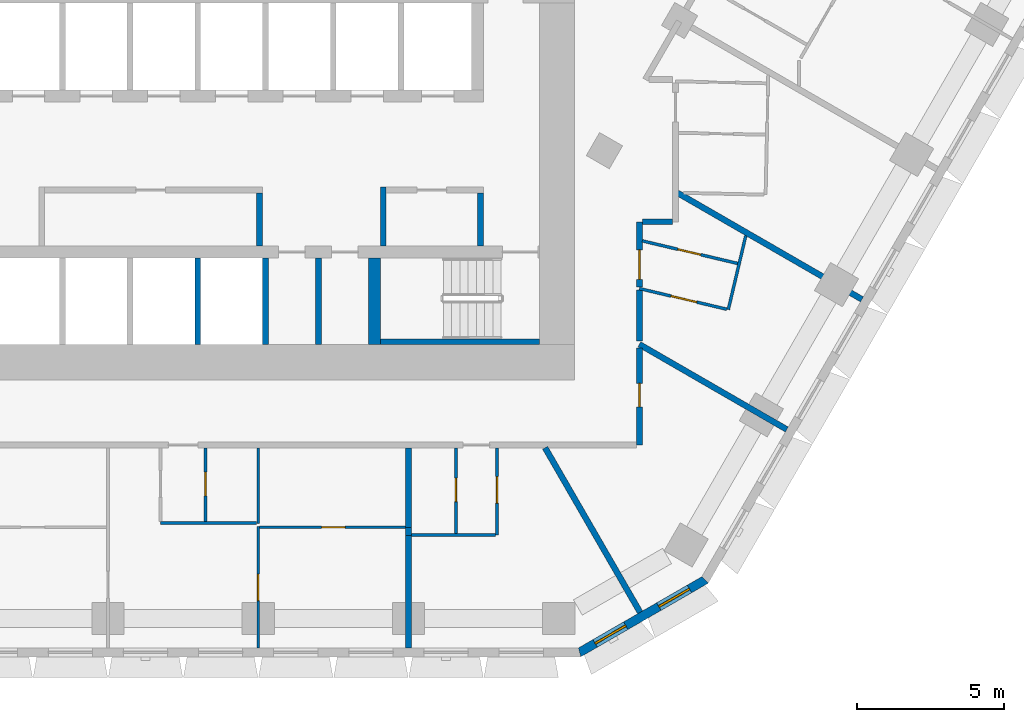
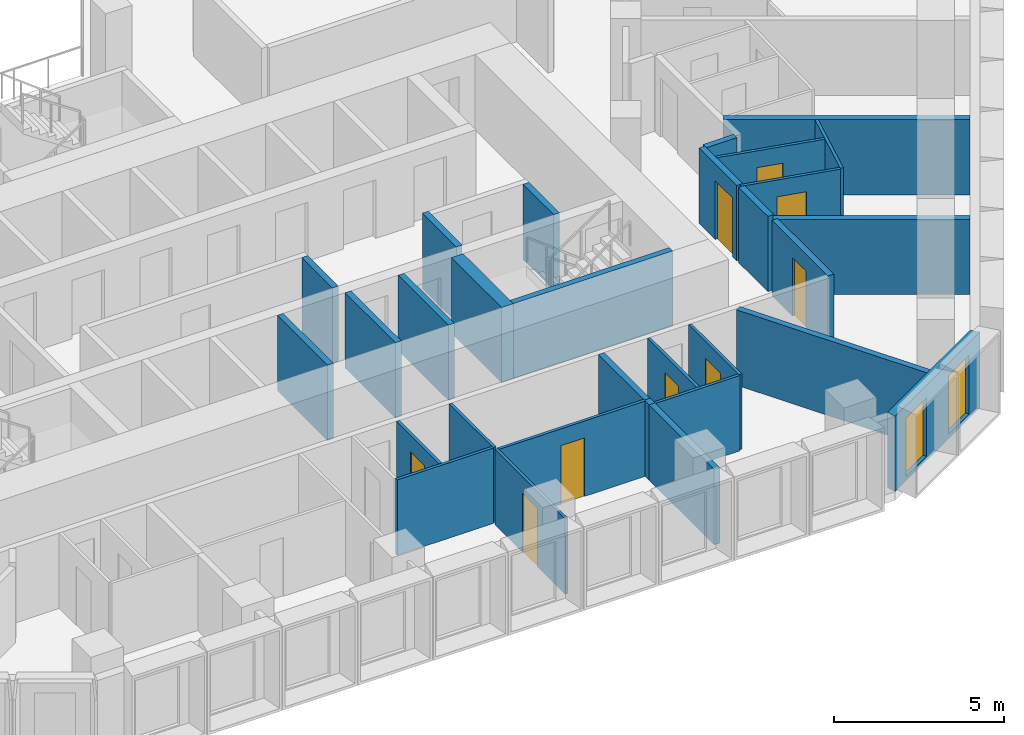
# One storey, part 6 of 21: 30 walls, 9 doors, 2 windows, 11 openings.
"""IFC4 building model written with IfcOpenShell, lengths in metres."""

from ifc_helpers import new_model, si_unit, direction, frame, frame_2d, origin, place, context, subcontext, project, spatial, polyline, rectangle, outline, extrude, material, layer, layer_set, type_object, element, fill, save


model = new_model("IFC4")

# Units and contexts
model_context = context("Model", 3, precision=1e-05, world=origin(), true_north=direction((0.0, 1.0)))
body_context = subcontext(model_context, "Body", "Model", "MODEL_VIEW")
ifc_project = project(units=[si_unit("LENGTHUNIT", "METRE"), si_unit("AREAUNIT", "SQUARE_METRE"), si_unit("VOLUMEUNIT", "CUBIC_METRE"), si_unit("PLANEANGLEUNIT", "RADIAN"), si_unit("MASSUNIT", "GRAM", prefix="KILO")], contexts=[model_context])

# Site, building, storey
site_placement = place(None, origin())
site = spatial("IfcSite", under=ifc_project, at=site_placement, CompositionType="ELEMENT")
building_placement = place(site_placement, origin())
building = spatial("IfcBuilding", under=site, at=building_placement, Name="Beryl Residences", CompositionType="ELEMENT")
storey_placement = place(building_placement, frame((0.0, 0.0, 47.39990234375)))
storey = spatial("IfcBuildingStorey", under=building, at=storey_placement, Name="L14", CompositionType="ELEMENT", Elevation=47.39990234375)

# Wall, openings, windows
ifc_material_1 = material(Name="Composite metal panel with mineral wool insulation")
ifc_layer_1 = layer(ifc_material_1, 0.300048828125)
ifc_layer_set_1 = layer_set([ifc_layer_1], Name="ES1 pale metal composite panel wall 300 mm")
wall_type_1 = type_object("IfcWallType", Name="ES1 pale metal composite panel wall 300 mm", PredefinedType="SOLIDWALL", material=ifc_layer_set_1)
wall_1_placement = place(storey_placement, frame((13.43505859375, -28.27001953125, 0.0), z_axis=(0.0, 0.0, 1.0), x_axis=(0.866010750942, 0.50002537861, 0.0)))
wall_1 = element("IfcWall", 1, at=wall_1_placement, inside=storey, type_object=wall_type_1, Name="ES1 external wall L14 S-SE", PredefinedType="SOLIDWALL", context=body_context, shape_type="SweptSolid", body=[
    extrude(outline(polyline([(0.0, -0.14990234375), (4.999755859375, -0.14990234375), (4.91943359375, 0.14990234375), (0.080322265625, 0.14990234375), (0.0, -0.14990234375)])), origin(), (0.0, 0.0, 1.0), 2.7001953125),
])
opening_1_placement = place(wall_1_placement, frame((0.64990234375, 0.0, 0.14990234375)))
opening_1 = element("IfcOpeningElement", 2, at=opening_1_placement, cuts=wall_1, Name="Opening W2", PredefinedType="OPENING", context=body_context, shape_type="SweptSolid", body=[
    extrude(rectangle(XDim=1.199951171875, YDim=2.10009765625, at=frame_2d((0.60009765625, 1.050048828125))), frame((0.0, 0.159912109375, 0.0), z_axis=(0.0, -1.0, 0.0), x_axis=(1.0, 0.0, 0.0)), (0.0, 0.0, 1.0), 0.320068359375),
])
opening_2_placement = place(wall_1_placement, frame((3.14892578125, 0.0, 0.14990234375)))
opening_2 = element("IfcOpeningElement", 3, at=opening_2_placement, cuts=wall_1, Name="Opening W2", PredefinedType="OPENING", context=body_context, shape_type="SweptSolid", body=[
    extrude(rectangle(XDim=1.199951171875, YDim=2.10009765625, at=frame_2d((0.60009765625, 1.050048828125))), frame((0.0, 0.159912109375, 0.0), z_axis=(0.0, -1.0, 0.0), x_axis=(1.0, 0.0, 0.0)), (0.0, 0.0, 1.0), 0.320068359375),
])
ifc_material_2 = material(Name="Aluminium and clear glass", Category="aluminium")
window_type = type_object("IfcWindowType", Name="W2 chamfer window 1200 x 2100 mm", PartitioningType="SINGLE_PANEL", PredefinedType="WINDOW", material=ifc_material_2)
window_1_placement = place(opening_1_placement, origin())
window_1 = element("IfcWindow", 4, at=window_1_placement, inside=storey, type_object=window_type, Name="W2 window L14 S-SE 1", OverallHeight=2.10009765625, OverallWidth=1.199951171875, PartitioningType="SINGLE_PANEL", PredefinedType="WINDOW", context=body_context, shape_type="SweptSolid", body=[
    extrude(rectangle(XDim=1.199951171875, YDim=2.10009765625, at=frame_2d((0.60009765625, 1.050048828125))), frame((0.0, 0.030029296875, 0.0), z_axis=(0.0, -1.0, 0.0), x_axis=(1.0, 0.0, 0.0)), (0.0, 0.0, 1.0), 0.06005859375),
])
fill(opening_1, window_1)
window_2_placement = place(opening_2_placement, origin())
window_2 = element("IfcWindow", 5, at=window_2_placement, inside=storey, type_object=window_type, Name="W2 window L14 S-SE 2", OverallHeight=2.10009765625, OverallWidth=1.199951171875, PartitioningType="SINGLE_PANEL", PredefinedType="WINDOW", context=body_context, shape_type="SweptSolid", body=[
    extrude(rectangle(XDim=1.199951171875, YDim=2.10009765625, at=frame_2d((0.60009765625, 1.050048828125))), frame((0.0, 0.030029296875, 0.0), z_axis=(0.0, -1.0, 0.0), x_axis=(1.0, 0.0, 0.0)), (0.0, 0.0, 1.0), 0.06005859375),
])
fill(opening_2, window_2)

# Wall, opening, door
ifc_material_3 = material(Name="Gypsum board partition on steel studs", Category="steel")
ifc_layer_2 = layer(ifc_material_3, 0.10009765625)
ifc_layer_set_2 = layer_set([ifc_layer_2], Name="PT1 partition 100 mm gypsum board on steel studs")
wall_type_2 = type_object("IfcWallType", Name="PT1 partition 100 mm gypsum board on steel studs", PredefinedType="PARTITIONING", material=ifc_layer_set_2)
wall_2_placement = place(storey_placement, frame((15.60009765625, -14.27294921875, 0.0), z_axis=(0.0, 0.0, 1.0), x_axis=(0.973083317443, -0.230453590368, 0.0)))
wall_2 = element("IfcWall", 6, at=wall_2_placement, inside=storey, type_object=wall_type_2, Name="Wall PT1 L14 015", PredefinedType="PARTITIONING", context=body_context, shape_type="SweptSolid", body=[
    extrude(rectangle(XDim=3.32861328125, YDim=0.10009765625, at=frame_2d((1.664306640625, 0.0))), origin(), (0.0, 0.0, 1.0), 2.7001953125),
])
opening_3_placement = place(wall_2_placement, frame((1.238037109375, 0.0, 0.0)))
opening_3 = element("IfcOpeningElement", 7, at=opening_3_placement, cuts=wall_2, Name="Opening D0239", PredefinedType="OPENING", context=body_context, shape_type="SweptSolid", body=[
    extrude(rectangle(XDim=0.800048828125, YDim=2.10009765625, at=frame_2d((0.39990234375, 1.050048828125))), frame((0.0, 0.06005859375, 0.0), z_axis=(0.0, -1.0, 0.0), x_axis=(1.0, 0.0, 0.0)), (0.0, 0.0, 1.0), 0.1201171875),
])
ifc_material_4 = material(Name="Timber door leaf", Category="wood")
door_type_1 = type_object("IfcDoorType", Name="D3 bathroom door 800 x 2100 mm", OperationType="SINGLE_SWING_LEFT", PredefinedType="DOOR", material=ifc_material_4)
door_1_placement = place(opening_3_placement, origin())
door_1 = element("IfcDoor", 8, at=door_1_placement, inside=storey, type_object=door_type_1, Name="Door D0239 L14 001", OperationType="SINGLE_SWING_LEFT", OverallHeight=2.10009765625, OverallWidth=0.800048828125, PredefinedType="DOOR", context=body_context, shape_type="SweptSolid", body=[
    extrude(rectangle(XDim=0.800048828125, YDim=2.10009765625, at=frame_2d((0.39990234375, 1.050048828125))), frame((0.0, 0.02490234375, 0.0), z_axis=(0.0, -1.0, 0.0), x_axis=(1.0, 0.0, 0.0)), (0.0, 0.0, 1.0), 0.050048828125),
])
fill(opening_3, door_1)

wall_3_placement = place(storey_placement, frame((15.5, -15.89208984375, 0.0), z_axis=(0.0, 0.0, 1.0), x_axis=(0.973119457068, -0.230300938504, 0.0)))
wall_3 = element("IfcWall", 9, at=wall_3_placement, inside=storey, type_object=wall_type_2, Name="Wall PT1 L14 016", PredefinedType="PARTITIONING", context=body_context, shape_type="SweptSolid", body=[
    extrude(rectangle(XDim=3.052001953125, YDim=0.10009765625, at=frame_2d((1.52587890625, 0.0))), origin(), (0.0, 0.0, 1.0), 2.7001953125),
])
opening_4_placement = place(wall_3_placement, frame((1.10205078125, 0.0, 0.0)))
opening_4 = element("IfcOpeningElement", 10, at=opening_4_placement, cuts=wall_3, Name="Opening D0238", PredefinedType="OPENING", context=body_context, shape_type="SweptSolid", body=[
    extrude(rectangle(XDim=0.89990234375, YDim=2.10009765625, at=frame_2d((0.449951171875, 1.050048828125))), frame((0.0, 0.06005859375, 0.0), z_axis=(0.0, -1.0, 0.0), x_axis=(1.0, 0.0, 0.0)), (0.0, 0.0, 1.0), 0.1201171875),
])
ifc_material_5 = material(Name="Timber door leaf", Category="wood")
door_type_2 = type_object("IfcDoorType", Name="D2 room door 900 x 2100 mm", OperationType="SINGLE_SWING_LEFT", PredefinedType="DOOR", material=ifc_material_5)
door_2_placement = place(opening_4_placement, origin())
door_2 = element("IfcDoor", 11, at=door_2_placement, inside=storey, type_object=door_type_2, Name="Door D0238 L14 001", OperationType="SINGLE_SWING_RIGHT", OverallHeight=2.10009765625, OverallWidth=0.89990234375, PredefinedType="DOOR", context=body_context, shape_type="SweptSolid", body=[
    extrude(rectangle(XDim=0.89990234375, YDim=2.10009765625, at=frame_2d((0.449951171875, 1.050048828125))), frame((0.0, 0.02490234375, 0.0), z_axis=(0.0, -1.0, 0.0), x_axis=(1.0, 0.0, 0.0)), (0.0, 0.0, 1.0), 0.050048828125),
])
fill(opening_4, door_2)

# Wall
wall_4_placement = place(storey_placement, frame((-0.763916015625, -23.860107421875, 0.0), z_axis=(0.0, 0.0, 1.0), x_axis=(1.0, 0.0, 0.0)))
element("IfcWall", 12, at=wall_4_placement, inside=storey, type_object=wall_type_2, Name="Wall PT1 L14 030", PredefinedType="PARTITIONING", context=body_context, shape_type="SweptSolid", body=[
    extrude(rectangle(XDim=3.266845703125, YDim=0.10009765625, at=frame_2d((1.63330078125, 0.0))), origin(), (0.0, 0.0, 1.0), 2.7001953125),
])

# Wall, opening, door
wall_5_placement = place(storey_placement, frame((2.60302734375, -24.0, 0.0), z_axis=(0.0, 0.0, 1.0), x_axis=(1.0, 0.0, 0.0)))
wall_5 = element("IfcWall", 13, at=wall_5_placement, inside=storey, type_object=wall_type_2, Name="Wall PT1 L14 032", PredefinedType="PARTITIONING", context=body_context, shape_type="SweptSolid", body=[
    extrude(rectangle(XDim=4.953857421875, YDim=0.10009765625, at=frame_2d((2.47705078125, 0.0))), origin(), (0.0, 0.0, 1.0), 2.7001953125),
])
opening_5_placement = place(wall_5_placement, frame((2.10205078125, 0.0, 0.0)))
opening_5 = element("IfcOpeningElement", 14, at=opening_5_placement, cuts=wall_5, Name="Opening D0232", PredefinedType="OPENING", context=body_context, shape_type="SweptSolid", body=[
    extrude(rectangle(XDim=0.800048828125, YDim=2.10009765625, at=frame_2d((0.39990234375, 1.050048828125))), frame((0.0, 0.06005859375, 0.0), z_axis=(0.0, -1.0, 0.0), x_axis=(1.0, 0.0, 0.0)), (0.0, 0.0, 1.0), 0.1201171875),
])
door_3_placement = place(opening_5_placement, origin())
door_3 = element("IfcDoor", 15, at=door_3_placement, inside=storey, type_object=door_type_1, Name="Door D0232 L14 001", OperationType="SINGLE_SWING_RIGHT", OverallHeight=2.10009765625, OverallWidth=0.800048828125, PredefinedType="DOOR", context=body_context, shape_type="SweptSolid", body=[
    extrude(rectangle(XDim=0.800048828125, YDim=2.10009765625, at=frame_2d((0.39990234375, 1.050048828125))), frame((0.0, 0.02490234375, 0.0), z_axis=(0.0, -1.0, 0.0), x_axis=(1.0, 0.0, 0.0)), (0.0, 0.0, 1.0), 0.050048828125),
])
fill(opening_5, door_3)

# Walls
wall_6_placement = place(storey_placement, frame((7.757080078125, -24.260009765625, 0.0), z_axis=(0.0, 0.0, 1.0), x_axis=(1.0, 0.0, 0.0)))
element("IfcWall", 16, at=wall_6_placement, inside=storey, type_object=wall_type_2, Name="Wall PT1 L14 034", PredefinedType="PARTITIONING", context=body_context, shape_type="SweptSolid", body=[
    extrude(rectangle(XDim=2.85791015625, YDim=0.10009765625, at=frame_2d((1.428955078125, 0.0))), origin(), (0.0, 0.0, 1.0), 2.7001953125),
])
wall_7_placement = place(storey_placement, frame((18.52001953125, -16.60595703125, 0.0), z_axis=(0.0, 0.0, 1.0), x_axis=(0.230289488548, 0.973122166773, 0.0)))
element("IfcWall", 17, at=wall_7_placement, inside=storey, type_object=wall_type_2, Name="Wall PT1 L14 044", PredefinedType="PARTITIONING", context=body_context, shape_type="SweptSolid", body=[
    extrude(rectangle(XDim=2.579345703125, YDim=0.10009765625, at=frame_2d((1.28955078125, 0.0))), origin(), (0.0, 0.0, 1.0), 2.7001953125),
])

# Wall, opening, door
wall_8_placement = place(storey_placement, frame((0.76708984375, -23.81005859375, 0.0), z_axis=(0.0, 0.0, 1.0), x_axis=(0.0, 1.0, 0.0)))
wall_8 = element("IfcWall", 18, at=wall_8_placement, inside=storey, type_object=wall_type_2, Name="Wall PT1 L14 048", PredefinedType="PARTITIONING", context=body_context, shape_type="SweptSolid", body=[
    extrude(rectangle(XDim=2.510009765625, YDim=0.10009765625, at=frame_2d((1.2548828125, 0.0))), origin(), (0.0, 0.0, 1.0), 2.7001953125),
])
opening_6_placement = place(wall_8_placement, frame((0.8798828125, 0.0, 0.0)))
opening_6 = element("IfcOpeningElement", 19, at=opening_6_placement, cuts=wall_8, Name="Opening D0228", PredefinedType="OPENING", context=body_context, shape_type="SweptSolid", body=[
    extrude(rectangle(XDim=0.800048828125, YDim=2.10009765625, at=frame_2d((0.39990234375, 1.050048828125))), frame((0.0, 0.06005859375, 0.0), z_axis=(0.0, -1.0, 0.0), x_axis=(1.0, 0.0, 0.0)), (0.0, 0.0, 1.0), 0.1201171875),
])
door_4_placement = place(opening_6_placement, origin())
door_4 = element("IfcDoor", 20, at=door_4_placement, inside=storey, type_object=door_type_1, Name="Door D0228 L14 001", OperationType="SINGLE_SWING_RIGHT", OverallHeight=2.10009765625, OverallWidth=0.800048828125, PredefinedType="DOOR", context=body_context, shape_type="SweptSolid", body=[
    extrude(rectangle(XDim=0.800048828125, YDim=2.10009765625, at=frame_2d((0.39990234375, 1.050048828125))), frame((0.0, 0.02490234375, 0.0), z_axis=(0.0, -1.0, 0.0), x_axis=(1.0, 0.0, 0.0)), (0.0, 0.0, 1.0), 0.050048828125),
])
fill(opening_6, door_4)

wall_9_placement = place(storey_placement, frame((9.26611328125, -24.2099609375, 0.0), z_axis=(0.0, 0.0, 1.0), x_axis=(0.0, 1.0, 0.0)))
wall_9 = element("IfcWall", 21, at=wall_9_placement, inside=storey, type_object=wall_type_2, Name="Wall PT1 L14 049", PredefinedType="PARTITIONING", context=body_context, shape_type="SweptSolid", body=[
    extrude(rectangle(XDim=2.909912109375, YDim=0.10009765625, at=frame_2d((1.455078125, 0.0))), origin(), (0.0, 0.0, 1.0), 2.7001953125),
])
opening_7_placement = place(wall_9_placement, frame((1.080078125, 0.0, 0.0)))
opening_7 = element("IfcOpeningElement", 22, at=opening_7_placement, cuts=wall_9, Name="Opening D0235", PredefinedType="OPENING", context=body_context, shape_type="SweptSolid", body=[
    extrude(rectangle(XDim=0.800048828125, YDim=2.10009765625, at=frame_2d((0.39990234375, 1.050048828125))), frame((0.0, 0.06005859375, 0.0), z_axis=(0.0, -1.0, 0.0), x_axis=(1.0, 0.0, 0.0)), (0.0, 0.0, 1.0), 0.1201171875),
])
door_5_placement = place(opening_7_placement, origin())
door_5 = element("IfcDoor", 23, at=door_5_placement, inside=storey, type_object=door_type_1, Name="Door D0235 L14 001", OperationType="SINGLE_SWING_LEFT", OverallHeight=2.10009765625, OverallWidth=0.800048828125, PredefinedType="DOOR", context=body_context, shape_type="SweptSolid", body=[
    extrude(rectangle(XDim=0.800048828125, YDim=2.10009765625, at=frame_2d((0.39990234375, 1.050048828125))), frame((0.0, 0.02490234375, 0.0), z_axis=(0.0, -1.0, 0.0), x_axis=(1.0, 0.0, 0.0)), (0.0, 0.0, 1.0), 0.050048828125),
])
fill(opening_7, door_5)

wall_10_placement = place(storey_placement, frame((10.666015625, -24.259033203125, 0.0), z_axis=(0.0, 0.0, 1.0), x_axis=(0.0, 1.0, 0.0)))
wall_10 = element("IfcWall", 24, at=wall_10_placement, inside=storey, type_object=wall_type_2, Name="Wall PT1 L14 050", PredefinedType="PARTITIONING", context=body_context, shape_type="SweptSolid", body=[
    extrude(rectangle(XDim=2.958984375, YDim=0.10009765625, at=frame_2d((1.4794921875, 0.0))), origin(), (0.0, 0.0, 1.0), 2.7001953125),
])
opening_8_placement = place(wall_10_placement, frame((1.0791015625, 0.0, 0.0)))
opening_8 = element("IfcOpeningElement", 25, at=opening_8_placement, cuts=wall_10, Name="Opening D0234", PredefinedType="OPENING", context=body_context, shape_type="SweptSolid", body=[
    extrude(rectangle(XDim=0.89990234375, YDim=2.10009765625, at=frame_2d((0.449951171875, 1.050048828125))), frame((0.0, 0.06005859375, 0.0), z_axis=(0.0, -1.0, 0.0), x_axis=(1.0, 0.0, 0.0)), (0.0, 0.0, 1.0), 0.1201171875),
])
door_6_placement = place(opening_8_placement, origin())
door_6 = element("IfcDoor", 26, at=door_6_placement, inside=storey, type_object=door_type_2, Name="Door D0234 L14 001", OperationType="SINGLE_SWING_RIGHT", OverallHeight=2.10009765625, OverallWidth=0.89990234375, PredefinedType="DOOR", context=body_context, shape_type="SweptSolid", body=[
    extrude(rectangle(XDim=0.89990234375, YDim=2.10009765625, at=frame_2d((0.449951171875, 1.050048828125))), frame((0.0, 0.02490234375, 0.0), z_axis=(0.0, -1.0, 0.0), x_axis=(1.0, 0.0, 0.0)), (0.0, 0.0, 1.0), 0.050048828125),
])
fill(opening_8, door_6)

wall_11_placement = place(storey_placement, frame((2.552978515625, -28.10009765625, 0.0), z_axis=(0.0, 0.0, 1.0), x_axis=(0.0, 1.0, 0.0)))
wall_11 = element("IfcWall", 27, at=wall_11_placement, inside=storey, type_object=wall_type_2, Name="Wall PT1 L14 052", PredefinedType="PARTITIONING", context=body_context, shape_type="SweptSolid", body=[
    extrude(rectangle(XDim=4.1201171875, YDim=0.10009765625, at=frame_2d((2.06005859375, 0.0))), origin(), (0.0, 0.0, 1.0), 2.7001953125),
])
opening_9_placement = place(wall_11_placement, frame((1.610107421875, 0.0, 0.0)))
opening_9 = element("IfcOpeningElement", 28, at=opening_9_placement, cuts=wall_11, Name="Opening D0229", PredefinedType="OPENING", context=body_context, shape_type="SweptSolid", body=[
    extrude(rectangle(XDim=0.89990234375, YDim=2.10009765625, at=frame_2d((0.449951171875, 1.050048828125))), frame((0.0, 0.06005859375, 0.0), z_axis=(0.0, -1.0, 0.0), x_axis=(1.0, 0.0, 0.0)), (0.0, 0.0, 1.0), 0.1201171875),
])
door_7_placement = place(opening_9_placement, origin())
door_7 = element("IfcDoor", 29, at=door_7_placement, inside=storey, type_object=door_type_2, Name="Door D0229 L14 001", OperationType="SINGLE_SWING_LEFT", OverallHeight=2.10009765625, OverallWidth=0.89990234375, PredefinedType="DOOR", context=body_context, shape_type="SweptSolid", body=[
    extrude(rectangle(XDim=0.89990234375, YDim=2.10009765625, at=frame_2d((0.449951171875, 1.050048828125))), frame((0.0, 0.02490234375, 0.0), z_axis=(0.0, -1.0, 0.0), x_axis=(1.0, 0.0, 0.0)), (0.0, 0.0, 1.0), 0.050048828125),
])
fill(opening_9, door_7)

# Walls
wall_12_placement = place(storey_placement, frame((2.552978515625, -23.8798828125, 0.0), z_axis=(0.0, 0.0, 1.0), x_axis=(0.0, 1.0, 0.0)))
element("IfcWall", 30, at=wall_12_placement, inside=storey, type_object=wall_type_2, Name="Wall PT1 L14 053", PredefinedType="PARTITIONING", context=body_context, shape_type="SweptSolid", body=[
    extrude(rectangle(XDim=2.579833984375, YDim=0.10009765625, at=frame_2d((1.2900390625, 0.0))), origin(), (0.0, 0.0, 1.0), 2.7001953125),
])
ifc_material_6 = material(Name="Concrete masonry", Category="masonry")
ifc_layer_3 = layer(ifc_material_6, 0.199951171875)
ifc_layer_set_3 = layer_set([ifc_layer_3], Name="PT13 lobby wall 200 mm")
wall_type_3 = type_object("IfcWallType", Name="PT13 lobby wall 200 mm", PredefinedType="PARTITIONING", material=ifc_layer_set_3)
wall_13_placement = place(storey_placement, frame((2.60009765625, -14.449951171875, 0.0), z_axis=(0.0, 0.0, 1.0), x_axis=(0.0, 1.0, 0.0)))
element("IfcWall", 31, at=wall_13_placement, inside=storey, type_object=wall_type_3, Name="Lobby wall 15", PredefinedType="PARTITIONING", context=body_context, shape_type="SweptSolid", body=[
    extrude(rectangle(XDim=1.800048828125, YDim=0.199951171875, at=frame_2d((0.89990234375, 0.0))), origin(), (0.0, 0.0, 1.0), 2.7001953125),
])
wall_14_placement = place(storey_placement, frame((6.800048828125, -14.449951171875, 0.0), z_axis=(0.0, 0.0, 1.0), x_axis=(0.0, 1.0, 0.0)))
element("IfcWall", 32, at=wall_14_placement, inside=storey, type_object=wall_type_3, Name="Lobby wall 21", PredefinedType="PARTITIONING", context=body_context, shape_type="SweptSolid", body=[
    extrude(rectangle(XDim=2.0, YDim=0.199951171875, at=frame_2d((1.0, 0.0))), origin(), (0.0, 0.0, 1.0), 2.7001953125),
])
wall_15_placement = place(storey_placement, frame((10.10009765625, -14.449951171875, 0.0), z_axis=(0.0, 0.0, 1.0), x_axis=(0.0, 1.0, 0.0)))
element("IfcWall", 33, at=wall_15_placement, inside=storey, type_object=wall_type_3, Name="Lobby wall 24", PredefinedType="PARTITIONING", context=body_context, shape_type="SweptSolid", body=[
    extrude(rectangle(XDim=1.800048828125, YDim=0.199951171875, at=frame_2d((0.89990234375, 0.0))), origin(), (0.0, 0.0, 1.0), 2.7001953125),
])
ifc_material_7 = material(Name="Acoustic double stud gypsum board wall")
ifc_layer_4 = layer(ifc_material_7, 0.199951171875)
ifc_layer_set_4 = layer_set([ifc_layer_4], Name="PT3 party wall 200 mm acoustic double stud")
wall_type_4 = type_object("IfcWallType", Name="PT3 party wall 200 mm acoustic double stud", PredefinedType="PARTITIONING", material=ifc_layer_set_4)
wall_16_placement = place(storey_placement, frame((12.297119140625, -21.300048828125, 0.0), z_axis=(0.0, 0.0, 1.0), x_axis=(0.500056399578, -0.865992839024, 0.0)))
element("IfcWall", 34, at=wall_16_placement, inside=storey, type_object=wall_type_4, Name="Wall PT3 L14 002", PredefinedType="PARTITIONING", context=body_context, shape_type="SweptSolid", body=[
    extrude(rectangle(XDim=6.454833984375, YDim=0.199951171875, at=frame_2d((3.2275390625, 0.0))), origin(), (0.0, 0.0, 1.0), 2.7001953125),
])
wall_17_placement = place(storey_placement, frame((7.656982421875, -24.0, 0.0), z_axis=(0.0, 0.0, 1.0), x_axis=(0.0, -1.0, 0.0)))
element("IfcWall", 35, at=wall_17_placement, inside=storey, type_object=wall_type_4, Name="Wall PT3 L14 006", PredefinedType="PARTITIONING", context=body_context, shape_type="SweptSolid", body=[
    extrude(rectangle(XDim=0.280029296875, YDim=0.199951171875, at=frame_2d((0.14013671875, 0.0))), origin(), (0.0, 0.0, 1.0), 2.7001953125),
])
wall_18_placement = place(storey_placement, frame((15.5, -17.7880859375, 0.0), z_axis=(0.0, 0.0, 1.0), x_axis=(0.866065366639, -0.499930775916, 0.0)))
element("IfcWall", 36, at=wall_18_placement, inside=storey, type_object=wall_type_4, Name="Wall PT3 L14 008", PredefinedType="PARTITIONING", context=body_context, shape_type="SweptSolid", body=[
    extrude(rectangle(XDim=5.782470703125, YDim=0.199951171875, at=frame_2d((2.89111328125, 0.0))), origin(), (0.0, 0.0, 1.0), 2.7001953125),
])
wall_19_placement = place(storey_placement, frame((16.7880859375, -12.637939453125, 0.0), z_axis=(0.0, 0.0, 1.0), x_axis=(0.866027278279, -0.499996753267, 0.0)))
element("IfcWall", 37, at=wall_19_placement, inside=storey, type_object=wall_type_4, Name="Wall PT3 L14 011", PredefinedType="PARTITIONING", context=body_context, shape_type="SweptSolid", body=[
    extrude(rectangle(XDim=7.2421875, YDim=0.199951171875, at=frame_2d((3.62109375, 0.0))), origin(), (0.0, 0.0, 1.0), 2.7001953125),
])
wall_20_placement = place(storey_placement, frame((7.656982421875, -28.10009765625, 0.0), z_axis=(0.0, 0.0, 1.0), x_axis=(0.0, 1.0, 0.0)))
element("IfcWall", 38, at=wall_20_placement, inside=storey, type_object=wall_type_4, Name="Wall PT3 L14 017", PredefinedType="PARTITIONING", context=body_context, shape_type="SweptSolid", body=[
    extrude(rectangle(XDim=3.860107421875, YDim=0.199951171875, at=frame_2d((1.93017578125, 0.0))), origin(), (0.0, 0.0, 1.0), 2.7001953125),
])
wall_21_placement = place(storey_placement, frame((7.656982421875, -24.0, 0.0), z_axis=(0.0, 0.0, 1.0), x_axis=(0.0, 1.0, 0.0)))
element("IfcWall", 39, at=wall_21_placement, inside=storey, type_object=wall_type_4, Name="Wall PT3 L14 018", PredefinedType="PARTITIONING", context=body_context, shape_type="SweptSolid", body=[
    extrude(rectangle(XDim=2.699951171875, YDim=0.199951171875, at=frame_2d((1.35009765625, 0.0))), origin(), (0.0, 0.0, 1.0), 2.7001953125),
])
ifc_material_8 = material(Name="Double stud gypsum board wall")
ifc_layer_5 = layer(ifc_material_8, 0.199951171875)
ifc_layer_set_5 = layer_set([ifc_layer_5], Name="PT4 corridor wall 200 mm double stud")
wall_type_5 = type_object("IfcWallType", Name="PT4 corridor wall 200 mm double stud", PredefinedType="PARTITIONING", material=ifc_layer_set_5)
wall_22_placement = place(storey_placement, frame((15.5, -15.943115234375, 0.0), z_axis=(0.0, 0.0, 1.0), x_axis=(0.0, -1.0, 0.0)))
element("IfcWall", 40, at=wall_22_placement, inside=storey, type_object=wall_type_5, Name="Wall PT4 L14 009", PredefinedType="PARTITIONING", context=body_context, shape_type="SweptSolid", body=[
    extrude(rectangle(XDim=1.72900390625, YDim=0.199951171875, at=frame_2d((0.864501953125, 0.0))), origin(), (0.0, 0.0, 1.0), 2.7001953125),
])
wall_23_placement = place(storey_placement, frame((15.60009765625, -13.6240234375, 0.0), z_axis=(0.0, 0.0, 1.0), x_axis=(1.0, 0.0, 0.0)))
element("IfcWall", 41, at=wall_23_placement, inside=storey, type_object=wall_type_5, Name="Wall PT4 L14 012", PredefinedType="PARTITIONING", context=body_context, shape_type="SweptSolid", body=[
    extrude(rectangle(XDim=1.02783203125, YDim=0.199951171875, at=frame_2d((0.513916015625, 0.0))), origin(), (0.0, 0.0, 1.0), 2.7001953125),
])

# Wall, opening, door
wall_24_placement = place(storey_placement, frame((15.5, -21.198974609375, 0.0), z_axis=(0.0, 0.0, 1.0), x_axis=(0.0, 1.0, 0.0)))
wall_24 = element("IfcWall", 42, at=wall_24_placement, inside=storey, type_object=wall_type_5, Name="Wall PT4 L14 028", PredefinedType="PARTITIONING", context=body_context, shape_type="SweptSolid", body=[
    extrude(rectangle(XDim=3.2958984375, YDim=0.199951171875, at=frame_2d((1.64794921875, 0.0))), origin(), (0.0, 0.0, 1.0), 2.7001953125),
])
opening_10_placement = place(wall_24_placement, frame((1.2880859375, 0.0, 0.0)))
opening_10 = element("IfcOpeningElement", 43, at=opening_10_placement, cuts=wall_24, Name="Opening D0236", PredefinedType="OPENING", context=body_context, shape_type="SweptSolid", body=[
    extrude(rectangle(XDim=0.800048828125, YDim=2.10009765625, at=frame_2d((0.39990234375, 1.050048828125))), frame((0.0, 0.10986328125, 0.0), z_axis=(0.0, -1.0, 0.0), x_axis=(1.0, 0.0, 0.0)), (0.0, 0.0, 1.0), 0.219970703125),
])
door_8_placement = place(opening_10_placement, origin())
door_8 = element("IfcDoor", 44, at=door_8_placement, inside=storey, type_object=door_type_1, Name="Door D0236 L14 001", OperationType="SINGLE_SWING_RIGHT", OverallHeight=2.10009765625, OverallWidth=0.800048828125, PredefinedType="DOOR", context=body_context, shape_type="SweptSolid", body=[
    extrude(rectangle(XDim=0.800048828125, YDim=2.10009765625, at=frame_2d((0.39990234375, 1.050048828125))), frame((0.0, 0.02490234375, 0.0), z_axis=(0.0, -1.0, 0.0), x_axis=(1.0, 0.0, 0.0)), (0.0, 0.0, 1.0), 0.050048828125),
])
fill(opening_10, door_8)

wall_25_placement = place(storey_placement, frame((15.5, -15.840087890625, 0.0), z_axis=(0.0, 0.0, 1.0), x_axis=(0.0, 1.0, 0.0)))
wall_25 = element("IfcWall", 45, at=wall_25_placement, inside=storey, type_object=wall_type_5, Name="Wall PT4 L14 029", PredefinedType="PARTITIONING", context=body_context, shape_type="SweptSolid", body=[
    extrude(rectangle(XDim=2.216064453125, YDim=0.199951171875, at=frame_2d((1.10791015625, 0.0))), origin(), (0.0, 0.0, 1.0), 2.7001953125),
])
opening_11_placement = place(wall_25_placement, frame((0.262939453125, 0.0, 0.0)))
opening_11 = element("IfcOpeningElement", 46, at=opening_11_placement, cuts=wall_25, Name="Opening D0237", PredefinedType="OPENING", context=body_context, shape_type="SweptSolid", body=[
    extrude(rectangle(XDim=1.0, YDim=2.10009765625, at=frame_2d((0.5, 1.050048828125))), frame((0.0, 0.10986328125, 0.0), z_axis=(0.0, -1.0, 0.0), x_axis=(1.0, 0.0, 0.0)), (0.0, 0.0, 1.0), 0.219970703125),
])
ifc_material_9 = material(Name="Timber door leaf", Category="wood")
door_type_3 = type_object("IfcDoorType", Name="D1 flat entrance door 1000 x 2100 mm", OperationType="SINGLE_SWING_LEFT", PredefinedType="DOOR", material=ifc_material_9)
door_9_placement = place(opening_11_placement, origin())
door_9 = element("IfcDoor", 47, at=door_9_placement, inside=storey, type_object=door_type_3, Name="Door D0237 L14 001", OperationType="SINGLE_SWING_LEFT", OverallHeight=2.10009765625, OverallWidth=1.0, PredefinedType="DOOR", context=body_context, shape_type="SweptSolid", body=[
    extrude(rectangle(XDim=1.0, YDim=2.10009765625, at=frame_2d((0.5, 1.050048828125))), frame((0.0, 0.02490234375, 0.0), z_axis=(0.0, -1.0, 0.0), x_axis=(1.0, 0.0, 0.0)), (0.0, 0.0, 1.0), 0.050048828125),
])
fill(opening_11, door_9)

# Walls
ifc_material_10 = material(Name="Concrete C40/50", Category="concrete")
ifc_layer_6 = layer(ifc_material_10, 0.199951171875)
ifc_layer_set_6 = layer_set([ifc_layer_6], Name="PT5 stair enclosure wall 200 mm reinforced concrete C40/50")
wall_type_6 = type_object("IfcWallType", Name="PT5 stair enclosure wall 200 mm reinforced concrete C40/50", PredefinedType="SOLIDWALL", material=ifc_layer_set_6)
wall_26_placement = place(storey_placement, frame((6.699951171875, -17.699951171875, 0.0), z_axis=(0.0, 0.0, 1.0), x_axis=(1.0, 0.0, 0.0)))
element("IfcWall", 48, at=wall_26_placement, inside=storey, type_object=wall_type_6, Name="Stair wall 20", PredefinedType="SOLIDWALL", context=body_context, shape_type="SweptSolid", body=[
    extrude(rectangle(XDim=5.400146484375, YDim=0.199951171875, at=frame_2d((2.7001953125, 0.0))), origin(), (0.0, 0.0, 1.0), 2.7001953125),
])
ifc_material_11 = material(Name="Concrete C40/50", Category="concrete")
ifc_layer_7 = layer(ifc_material_11, 0.199951171875)
ifc_layer_set_7 = layer_set([ifc_layer_7], Name="PT6 lift shaft wall 200 mm reinforced concrete C40/50")
wall_type_7 = type_object("IfcWallType", Name="PT6 lift shaft wall 200 mm reinforced concrete C40/50", PredefinedType="SOLIDWALL", material=ifc_layer_set_7)
for number, where, z_axis, x_axis, name in (
    (49, (0.5, -17.800048828125, 0.0), (0.0, 0.0, 1.0), (0.0, 1.0, 0.0), "Lift shaft wall 13"),
    (50, (2.800048828125, -17.800048828125, 0.0), (0.0, 0.0, 1.0), (0.0, 1.0, 0.0), "Lift shaft wall 16"),
):
    element("IfcWall", number, at=place(storey_placement, frame(where, z_axis=z_axis, x_axis=x_axis)), inside=storey, type_object=wall_type_7, Name=name, PredefinedType="SOLIDWALL", context=body_context, shape_type="SweptSolid", body=[
        extrude(rectangle(XDim=2.949951171875, YDim=0.199951171875, at=frame_2d((1.47509765625, 0.0))), origin(), (0.0, 0.0, 1.0), 2.7001953125),
    ])
ifc_material_12 = material(Name="Concrete masonry", Category="masonry")
ifc_layer_8 = layer(ifc_material_12, 0.199951171875)
ifc_layer_set_8 = layer_set([ifc_layer_8], Name="PT8-200 service room wall 200 mm")
wall_type_8 = type_object("IfcWallType", Name="PT8-200 service room wall 200 mm", PredefinedType="PARTITIONING", material=ifc_layer_set_8)
wall_27_placement = place(storey_placement, frame((4.60009765625, -17.800048828125, 0.0), z_axis=(0.0, 0.0, 1.0), x_axis=(0.0, 1.0, 0.0)))
element("IfcWall", 51, at=wall_27_placement, inside=storey, type_object=wall_type_8, Name="Core room wall 18", PredefinedType="PARTITIONING", context=body_context, shape_type="SweptSolid", body=[
    extrude(rectangle(XDim=2.949951171875, YDim=0.199951171875, at=frame_2d((1.47509765625, 0.0))), origin(), (0.0, 0.0, 1.0), 2.7001953125),
])
ifc_material_13 = material(Name="Concrete C80/95", Category="concrete")
ifc_layer_9 = layer(ifc_material_13, 0.39990234375)
ifc_layer_set_9 = layer_set([ifc_layer_9], Name="SW6 core internal wall 400 mm C80/95")
wall_type_9 = type_object("IfcWallType", Name="SW6 core internal wall 400 mm C80/95", PredefinedType="SHEAR", material=ifc_layer_set_9)
wall_28_placement = place(storey_placement, frame((6.5, -17.800048828125, 0.0), z_axis=(0.0, 0.0, 1.0), x_axis=(0.0, 1.0, 0.0)))
element("IfcWall", 52, at=wall_28_placement, inside=storey, type_object=wall_type_9, Name="Core wall XS2 L14", PredefinedType="SHEAR", context=body_context, shape_type="SweptSolid", body=[
    extrude(rectangle(XDim=2.949951171875, YDim=0.39990234375, at=frame_2d((1.47509765625, 0.0))), origin(), (0.0, 0.0, 1.0), 2.7001953125),
])

save(model, "model.ifc")
